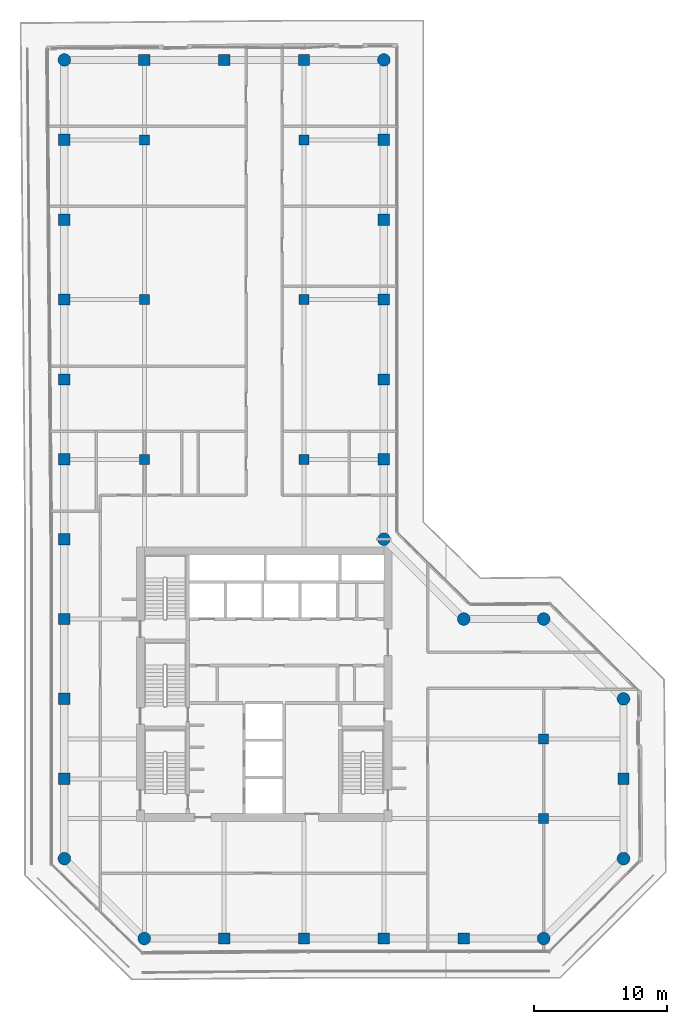
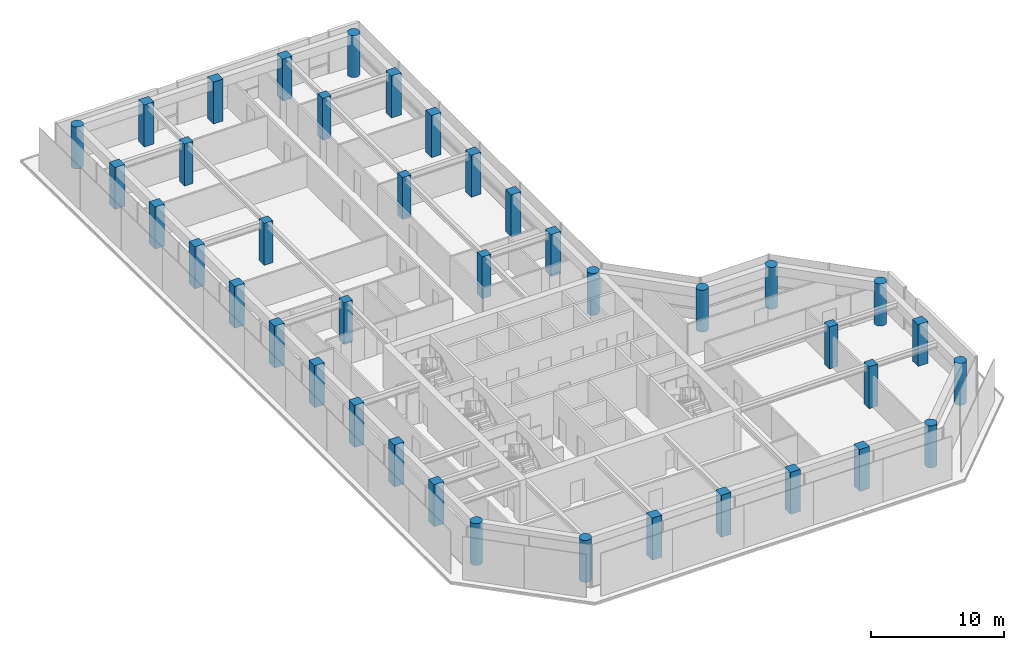
# One storey, part 1 of 19: 40 columns.
"""IFC4 building model written with IfcOpenShell, lengths in metres."""

from ifc_helpers import new_model, si_unit, direction, frame, origin, origin_2d, place, context, subcontext, project, spatial, rectangle, circle, extrude, material, material_profile, profile_set, type_object, element, save


model = new_model("IFC4")

# Units and contexts
model_context = context("Model", 3, precision=1e-05, world=origin(), true_north=direction((0.0, 1.0)))
body_context = subcontext(model_context, "Body", "Model", "MODEL_VIEW")
ifc_project = project(units=[si_unit("LENGTHUNIT", "METRE"), si_unit("AREAUNIT", "SQUARE_METRE"), si_unit("VOLUMEUNIT", "CUBIC_METRE"), si_unit("PLANEANGLEUNIT", "RADIAN"), si_unit("MASSUNIT", "GRAM", prefix="KILO")], contexts=[model_context])

# Site, building, storey
site_placement = place(None, origin())
site = spatial("IfcSite", under=ifc_project, at=site_placement, CompositionType="ELEMENT")
building_placement = place(site_placement, origin())
building = spatial("IfcBuilding", under=site, at=building_placement, Name="Welwitschia Terrace Campus", CompositionType="ELEMENT")
storey_placement = place(building_placement, frame((0.0, 0.0, 171.800048828125)))
storey = spatial("IfcBuildingStorey", under=building, at=storey_placement, Name="L38", CompositionType="ELEMENT", Elevation=171.800048828125)

# Columns
ifc_material_1 = material(Name="Concrete C50/60", Category="concrete")
ifc_material_profile_1 = material_profile(ifc_material_1, circle(Radius=0.47509765625, at=origin_2d()))
ifc_profile_set_1 = profile_set([ifc_material_profile_1], Name="Concrete C50/60")
column_type_1 = type_object("IfcColumnType", Name="Corner column 950 dia", PredefinedType="COLUMN", material=ifc_profile_set_1)
for number, where, z_axis, x_axis, name in (
    (1, (0.0, 2.0, 0.0), (0.0, 0.0, 1.0), (1.0, 0.0, 0.0), "Column C24"),
    (2, (0.0, 62.0, 0.0), (0.0, 0.0, 1.0), (1.0, 0.0, 0.0), "Column C24"),
    (3, (6.0, -4.0, 0.0), (0.0, 0.0, 1.0), (1.0, 0.0, 0.0), "Column C24"),
    (4, (24.0, 26.0, 0.0), (0.0, 0.0, 1.0), (1.0, 0.0, 0.0), "Column C24"),
    (5, (24.0, 62.0, 0.0), (0.0, 0.0, 1.0), (1.0, 0.0, 0.0), "Column C24"),
    (6, (30.0, 20.0, 0.0), (0.0, 0.0, 1.0), (1.0, 0.0, 0.0), "Column C24"),
    (7, (36.0, -4.0, 0.0), (0.0, 0.0, 1.0), (1.0, 0.0, 0.0), "Column C24"),
    (8, (36.0, 20.0, 0.0), (0.0, 0.0, 1.0), (1.0, 0.0, 0.0), "Column C24"),
    (9, (42.0, 2.0, 0.0), (0.0, 0.0, 1.0), (1.0, 0.0, 0.0), "Column C24"),
    (10, (42.0, 14.0, 0.0), (0.0, 0.0, 1.0), (1.0, 0.0, 0.0), "Column C24"),
):
    element("IfcColumn", number, at=place(storey_placement, frame(where, z_axis=z_axis, x_axis=x_axis)), inside=storey, type_object=column_type_1, Name=name, PredefinedType="COLUMN", context=body_context, shape_type="SweptSolid", body=[
        extrude(circle(Radius=0.47509765625, at=origin_2d()), origin(), (0.0, 0.0, 1.0), 3.849853515625),
    ])
ifc_material_2 = material(Name="Concrete C50/60", Category="concrete")
ifc_material_profile_2 = material_profile(ifc_material_2, rectangle(XDim=0.75, YDim=0.75, at=origin_2d()))
ifc_profile_set_2 = profile_set([ifc_material_profile_2], Name="Concrete C50/60")
column_type_2 = type_object("IfcColumnType", Name="Interior column 750x750", PredefinedType="COLUMN", material=ifc_profile_set_2)
for number, where, z_axis, x_axis, name in (
    (11, (6.0, 32.0, 0.0), (0.0, 0.0, 1.0), (1.0, 0.0, 0.0), "Column C25"),
    (12, (6.0, 44.0, 0.0), (0.0, 0.0, 1.0), (1.0, 0.0, 0.0), "Column C25"),
    (13, (6.0, 56.0, 0.0), (0.0, 0.0, 1.0), (1.0, 0.0, 0.0), "Column C25"),
    (14, (18.0, 32.0, 0.0), (0.0, 0.0, 1.0), (1.0, 0.0, 0.0), "Column C25"),
    (15, (18.0, 44.0, 0.0), (0.0, 0.0, 1.0), (1.0, 0.0, 0.0), "Column C25"),
    (16, (18.0, 56.0, 0.0), (0.0, 0.0, 1.0), (1.0, 0.0, 0.0), "Column C25"),
    (17, (36.0, 5.0, 0.0), (0.0, 0.0, 1.0), (1.0, 0.0, 0.0), "Column C25"),
    (18, (36.0, 11.0, 0.0), (0.0, 0.0, 1.0), (1.0, 0.0, 0.0), "Column C25"),
):
    element("IfcColumn", number, at=place(storey_placement, frame(where, z_axis=z_axis, x_axis=x_axis)), inside=storey, type_object=column_type_2, Name=name, PredefinedType="COLUMN", context=body_context, shape_type="SweptSolid", body=[
        extrude(rectangle(XDim=0.75, YDim=0.75, at=origin_2d()), origin(), (0.0, 0.0, 1.0), 3.849853515625),
    ])
ifc_material_3 = material(Name="Concrete C50/60", Category="concrete")
ifc_material_profile_3 = material_profile(ifc_material_3, rectangle(XDim=0.85009765625, YDim=0.85009765625, at=origin_2d()))
ifc_profile_set_3 = profile_set([ifc_material_profile_3], Name="Concrete C50/60")
column_type_3 = type_object("IfcColumnType", Name="Ring column 850x850", PredefinedType="COLUMN", material=ifc_profile_set_3)
for number, where, z_axis, x_axis, name in (
    (19, (0.0, 8.0, 0.0), (0.0, 0.0, 1.0), (1.0, 0.0, 0.0), "Column C23"),
    (20, (0.0, 14.0, 0.0), (0.0, 0.0, 1.0), (1.0, 0.0, 0.0), "Column C23"),
    (21, (0.0, 20.0, 0.0), (0.0, 0.0, 1.0), (1.0, 0.0, 0.0), "Column C23"),
    (22, (0.0, 26.0, 0.0), (0.0, 0.0, 1.0), (1.0, 0.0, 0.0), "Column C23"),
    (23, (0.0, 32.0, 0.0), (0.0, 0.0, 1.0), (1.0, 0.0, 0.0), "Column C23"),
    (24, (0.0, 38.0, 0.0), (0.0, 0.0, 1.0), (1.0, 0.0, 0.0), "Column C23"),
    (25, (0.0, 44.0, 0.0), (0.0, 0.0, 1.0), (1.0, 0.0, 0.0), "Column C23"),
    (26, (0.0, 50.0, 0.0), (0.0, 0.0, 1.0), (1.0, 0.0, 0.0), "Column C23"),
    (27, (0.0, 56.0, 0.0), (0.0, 0.0, 1.0), (1.0, 0.0, 0.0), "Column C23"),
    (28, (6.0, 62.0, 0.0), (0.0, 0.0, 1.0), (1.0, 0.0, 0.0), "Column C23"),
    (29, (12.0, -4.0, 0.0), (0.0, 0.0, 1.0), (1.0, 0.0, 0.0), "Column C23"),
    (30, (12.0, 62.0, 0.0), (0.0, 0.0, 1.0), (1.0, 0.0, 0.0), "Column C23"),
    (31, (18.0, -4.0, 0.0), (0.0, 0.0, 1.0), (1.0, 0.0, 0.0), "Column C23"),
    (32, (18.0, 62.0, 0.0), (0.0, 0.0, 1.0), (1.0, 0.0, 0.0), "Column C23"),
    (33, (24.0, -4.0, 0.0), (0.0, 0.0, 1.0), (1.0, 0.0, 0.0), "Column C23"),
    (34, (24.0, 32.0, 0.0), (0.0, 0.0, 1.0), (1.0, 0.0, 0.0), "Column C23"),
    (35, (24.0, 38.0, 0.0), (0.0, 0.0, 1.0), (1.0, 0.0, 0.0), "Column C23"),
    (36, (24.0, 44.0, 0.0), (0.0, 0.0, 1.0), (1.0, 0.0, 0.0), "Column C23"),
    (37, (24.0, 50.0, 0.0), (0.0, 0.0, 1.0), (1.0, 0.0, 0.0), "Column C23"),
    (38, (24.0, 56.0, 0.0), (0.0, 0.0, 1.0), (1.0, 0.0, 0.0), "Column C23"),
    (39, (30.0, -4.0, 0.0), (0.0, 0.0, 1.0), (1.0, 0.0, 0.0), "Column C23"),
    (40, (42.0, 8.0, 0.0), (0.0, 0.0, 1.0), (1.0, 0.0, 0.0), "Column C23"),
):
    element("IfcColumn", number, at=place(storey_placement, frame(where, z_axis=z_axis, x_axis=x_axis)), inside=storey, type_object=column_type_3, Name=name, PredefinedType="COLUMN", context=body_context, shape_type="SweptSolid", body=[
        extrude(rectangle(XDim=0.85009765625, YDim=0.85009765625, at=origin_2d()), origin(), (0.0, 0.0, 1.0), 3.849853515625),
    ])

save(model, "model.ifc")
